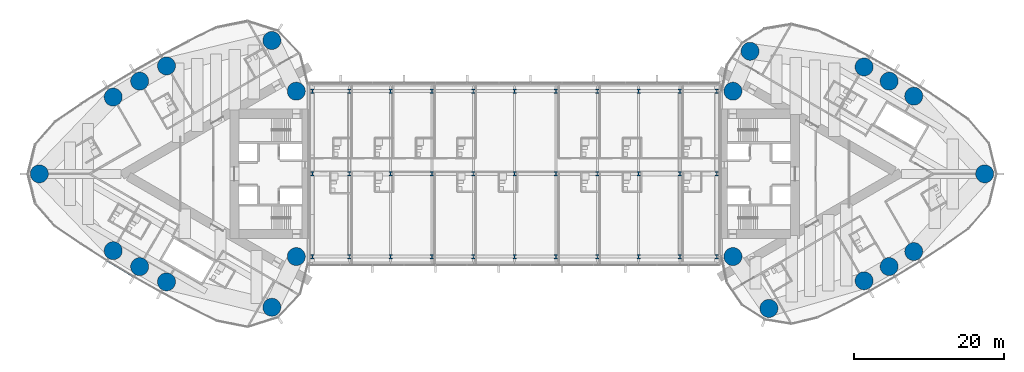
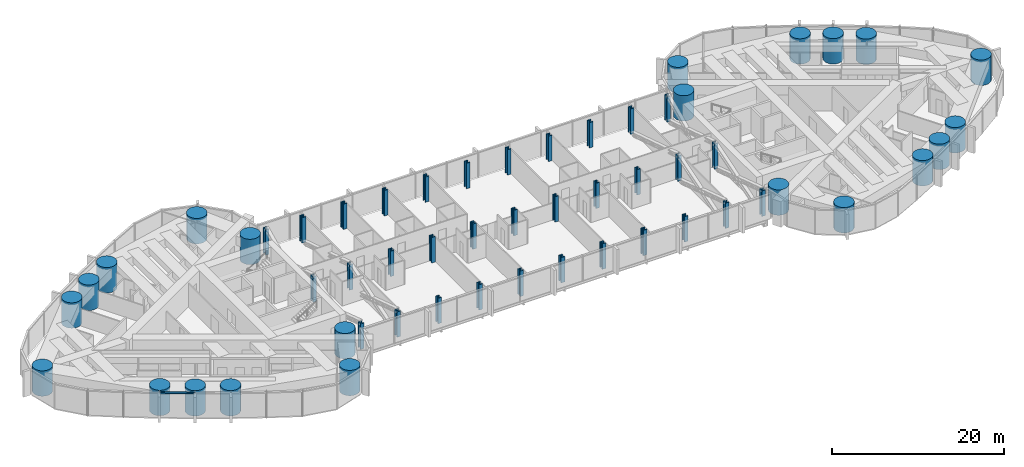
# One storey, part 1 of 22: 55 columns, 1 member, 1 element without a shape of its own.
"""IFC4 building model written with IfcOpenShell, lengths in metres."""

from ifc_helpers import new_model, si_unit, direction, frame, origin, origin_2d, place, context, subcontext, project, spatial, rectangle, circle, i_section, extrude, material, material_profile, profile_set, type_object, element, aggregate, save


model = new_model("IFC4")

# Units and contexts
model_context = context("Model", 3, precision=1e-05, world=origin(), true_north=direction((0.0, 1.0)))
body_context = subcontext(model_context, "Body", "Model", "MODEL_VIEW")
ifc_project = project(units=[si_unit("LENGTHUNIT", "METRE"), si_unit("AREAUNIT", "SQUARE_METRE"), si_unit("VOLUMEUNIT", "CUBIC_METRE"), si_unit("PLANEANGLEUNIT", "RADIAN"), si_unit("MASSUNIT", "GRAM", prefix="KILO")], contexts=[model_context])

# Site, building, storey
site_placement = place(None, origin())
site = spatial("IfcSite", under=ifc_project, at=site_placement, CompositionType="ELEMENT")
building_placement = place(site_placement, origin())
building = spatial("IfcBuilding", under=site, at=building_placement, Name="Lancet Gate Hotel", CompositionType="ELEMENT")
storey_placement = place(building_placement, frame((0.0, 0.0, 233.300048828125)))
storey = spatial("IfcBuildingStorey", under=building, at=storey_placement, Name="L62", CompositionType="ELEMENT", Elevation=233.300048828125)

# Columns
ifc_material_1 = material(Name="Steel S460", Category="steel")
ifc_material_profile_1 = material_profile(ifc_material_1, i_section(OverallWidth=0.47607421875, OverallDepth=0.60009765625, WebThickness=0.10009765625, FlangeThickness=0.139892578125, FilletRadius=0.02001953125, at=origin_2d()), Name="HD 400x1299")
ifc_profile_set_1 = profile_set([ifc_material_profile_1], Name="Steel S460")
column_type_1 = type_object("IfcColumnType", Name="Block column HD 400x1299", PredefinedType="COLUMN", material=ifc_profile_set_1)
for number, where, z_axis, x_axis, name in (
    (1, (-26.89990234375, -11.0, 0.0), (0.0, 0.0, 1.0), (1.0, 0.0, 0.0), "Block column S0 L62"),
    (2, (-22.0, -11.0, 0.0), (0.0, 0.0, 1.0), (1.0, 0.0, 0.0), "Block column S1 L62"),
    (3, (-16.5, -11.0, 0.0), (0.0, 0.0, 1.0), (1.0, 0.0, 0.0), "Block column S2 L62"),
    (4, (-11.0, -11.0, 0.0), (0.0, 0.0, 1.0), (1.0, 0.0, 0.0), "Block column S3 L62"),
    (5, (-5.5, -11.0, 0.0), (0.0, 0.0, 1.0), (1.0, 0.0, 0.0), "Block column S4 L62"),
    (6, (0.0, -11.0, 0.0), (0.0, 0.0, 1.0), (1.0, 0.0, 0.0), "Block column S5 L62"),
    (7, (5.5, -11.0, 0.0), (0.0, 0.0, 1.0), (1.0, 0.0, 0.0), "Block column S6 L62"),
    (8, (11.0, -11.0, 0.0), (0.0, 0.0, 1.0), (1.0, 0.0, 0.0), "Block column S7 L62"),
    (9, (16.5, -11.0, 0.0), (0.0, 0.0, 1.0), (1.0, 0.0, 0.0), "Block column S8 L62"),
    (10, (22.0, -11.0, 0.0), (0.0, 0.0, 1.0), (1.0, 0.0, 0.0), "Block column S9 L62"),
    (11, (26.89990234375, -11.0, 0.0), (0.0, 0.0, 1.0), (1.0, 0.0, 0.0), "Block column S10 L62"),
    (12, (-26.89990234375, 0.0, 0.0), (0.0, 0.0, 1.0), (1.0, 0.0, 0.0), "Block column M0 L62"),
    (13, (-22.0, 0.0, 0.0), (0.0, 0.0, 1.0), (1.0, 0.0, 0.0), "Block column M1 L62"),
    (14, (-16.5, 0.0, 0.0), (0.0, 0.0, 1.0), (1.0, 0.0, 0.0), "Block column M2 L62"),
    (15, (-11.0, 0.0, 0.0), (0.0, 0.0, 1.0), (1.0, 0.0, 0.0), "Block column M3 L62"),
    (16, (-5.5, 0.0, 0.0), (0.0, 0.0, 1.0), (1.0, 0.0, 0.0), "Block column M4 L62"),
    (17, (0.0, 0.0, 0.0), (0.0, 0.0, 1.0), (1.0, 0.0, 0.0), "Block column M5 L62"),
    (18, (5.5, 0.0, 0.0), (0.0, 0.0, 1.0), (1.0, 0.0, 0.0), "Block column M6 L62"),
    (19, (11.0, 0.0, 0.0), (0.0, 0.0, 1.0), (1.0, 0.0, 0.0), "Block column M7 L62"),
    (20, (16.5, 0.0, 0.0), (0.0, 0.0, 1.0), (1.0, 0.0, 0.0), "Block column M8 L62"),
    (21, (22.0, 0.0, 0.0), (0.0, 0.0, 1.0), (1.0, 0.0, 0.0), "Block column M9 L62"),
    (22, (26.89990234375, 0.0, 0.0), (0.0, 0.0, 1.0), (1.0, 0.0, 0.0), "Block column M10 L62"),
    (23, (-26.89990234375, 11.0, 0.0), (0.0, 0.0, 1.0), (1.0, 0.0, 0.0), "Block column N0 L62"),
    (24, (-22.0, 11.0, 0.0), (0.0, 0.0, 1.0), (1.0, 0.0, 0.0), "Block column N1 L62"),
    (25, (-16.5, 11.0, 0.0), (0.0, 0.0, 1.0), (1.0, 0.0, 0.0), "Block column N2 L62"),
    (26, (-11.0, 11.0, 0.0), (0.0, 0.0, 1.0), (1.0, 0.0, 0.0), "Block column N3 L62"),
    (27, (-5.5, 11.0, 0.0), (0.0, 0.0, 1.0), (1.0, 0.0, 0.0), "Block column N4 L62"),
    (28, (0.0, 11.0, 0.0), (0.0, 0.0, 1.0), (1.0, 0.0, 0.0), "Block column N5 L62"),
    (29, (5.5, 11.0, 0.0), (0.0, 0.0, 1.0), (1.0, 0.0, 0.0), "Block column N6 L62"),
    (30, (11.0, 11.0, 0.0), (0.0, 0.0, 1.0), (1.0, 0.0, 0.0), "Block column N7 L62"),
    (31, (16.5, 11.0, 0.0), (0.0, 0.0, 1.0), (1.0, 0.0, 0.0), "Block column N8 L62"),
    (32, (22.0, 11.0, 0.0), (0.0, 0.0, 1.0), (1.0, 0.0, 0.0), "Block column N9 L62"),
    (33, (26.89990234375, 11.0, 0.0), (0.0, 0.0, 1.0), (1.0, 0.0, 0.0), "Block column N10 L62"),
):
    element("IfcColumn", number, at=place(storey_placement, frame(where, z_axis=z_axis, x_axis=x_axis)), inside=storey, type_object=column_type_1, Name=name, PredefinedType="COLUMN", context=body_context, shape_type="SweptSolid", body=[
        extrude(i_section(OverallWidth=0.47607421875, OverallDepth=0.60009765625, WebThickness=0.10009765625, FlangeThickness=0.139892578125, FilletRadius=0.02001953125, at=origin_2d()), origin(), (0.0, 0.0, 1.0), 3.599853515625),
    ])
ifc_material_2 = material(Name="Concrete C50/60", Category="concrete")
ifc_material_profile_2 = material_profile(ifc_material_2, circle(Radius=1.199951171875, at=origin_2d()), Name="RC D2400")
ifc_profile_set_2 = profile_set([ifc_material_profile_2], Name="Concrete C50/60")
column_type_2 = type_object("IfcColumnType", Name="Perimeter column RC D2400", PredefinedType="COLUMN", material=ifc_profile_set_2)
for number, where, z_axis, x_axis, name in (
    (34, (-63.234375, 0.0, 0.0), (0.0, 0.0, 1.0), (1.0, 0.0, 0.0), "T1 column CA L62"),
    (35, (-32.301025390625, -17.745361328125, 0.0), (0.0, 0.0, 1.0), (1.0, 0.0, 0.0), "T1 column CN L62"),
    (36, (-32.301025390625, 17.745361328125, 0.0), (0.0, 0.0, 1.0), (1.0, 0.0, 0.0), "T1 column CS L62"),
    (37, (-29.050048828125, -11.0, 0.0), (0.0, 0.0, 1.0), (1.0, 0.0, 0.0), "T1 column IN L62"),
    (38, (-29.050048828125, 11.0, 0.0), (0.0, 0.0, 1.0), (1.0, 0.0, 0.0), "T1 column IS L62"),
    (39, (-53.40771484375, -10.218994140625, 0.0), (0.0, 0.0, 1.0), (1.0, 0.0, 0.0), "T1 column ON1 L62"),
    (40, (-49.89013671875, -12.340087890625, 0.0), (0.0, 0.0, 1.0), (1.0, 0.0, 0.0), "T1 column ON2 L62"),
    (41, (-46.316650390625, -14.365478515625, 0.0), (0.0, 0.0, 1.0), (1.0, 0.0, 0.0), "T1 column ON3 L62"),
    (42, (-46.316650390625, 14.365478515625, 0.0), (0.0, 0.0, 1.0), (1.0, 0.0, 0.0), "T1 column OS1 L62"),
    (43, (-49.89013671875, 12.340087890625, 0.0), (0.0, 0.0, 1.0), (1.0, 0.0, 0.0), "T1 column OS2 L62"),
    (44, (-53.40771484375, 10.218994140625, 0.0), (0.0, 0.0, 1.0), (1.0, 0.0, 0.0), "T1 column OS3 L62"),
    (45, (62.54150390625, 0.0, 0.0), (0.0, 0.0, 1.0), (1.0, 0.0, 0.0), "T2 column CA L62"),
    (46, (31.328369140625, 16.310791015625, 0.0), (0.0, 0.0, 1.0), (1.0, 0.0, 0.0), "T2 column CN L62"),
    (47, (33.837158203125, -17.906005859375, 0.0), (0.0, 0.0, 1.0), (1.0, 0.0, 0.0), "T2 column CS L62"),
    (48, (29.050048828125, 11.0, 0.0), (0.0, 0.0, 1.0), (1.0, 0.0, 0.0), "T2 column IN L62"),
    (49, (29.050048828125, -11.0, 0.0), (0.0, 0.0, 1.0), (1.0, 0.0, 0.0), "T2 column IS L62"),
    (50, (53.107666015625, 10.333984375, 0.0), (0.0, 0.0, 1.0), (1.0, 0.0, 0.0), "T2 column ON1 L62"),
    (51, (49.833984375, 12.331787109375, 0.0), (0.0, 0.0, 1.0), (1.0, 0.0, 0.0), "T2 column ON2 L62"),
    (52, (46.499267578125, 14.2255859375, 0.0), (0.0, 0.0, 1.0), (1.0, 0.0, 0.0), "T2 column ON3 L62"),
    (53, (46.499267578125, -14.2255859375, 0.0), (0.0, 0.0, 1.0), (1.0, 0.0, 0.0), "T2 column OS1 L62"),
    (54, (49.833984375, -12.331787109375, 0.0), (0.0, 0.0, 1.0), (1.0, 0.0, 0.0), "T2 column OS2 L62"),
    (55, (53.107666015625, -10.333984375, 0.0), (0.0, 0.0, 1.0), (1.0, 0.0, 0.0), "T2 column OS3 L62"),
):
    element("IfcColumn", number, at=place(storey_placement, frame(where, z_axis=z_axis, x_axis=x_axis)), inside=storey, type_object=column_type_2, Name=name, PredefinedType="COLUMN", context=body_context, shape_type="SweptSolid", body=[
        extrude(circle(Radius=1.199951171875, at=origin_2d()), origin(), (0.0, 0.0, 1.0), 3.599853515625),
    ])

# Curtain wall, member
ifc_material_3 = material(Name="Aluminium curtain wall", Category="aluminium")
curtain_wall_type = type_object("IfcCurtainWallType", Name="Tower unitised curtain wall", PredefinedType="USERDEFINED", material=ifc_material_3)
curtain_wall_placement = place(storey_placement, origin())
curtain_wall = element("IfcCurtainWall", 56, at=curtain_wall_placement, inside=storey, type_object=curtain_wall_type, Name="T1 L62 curtain wall 1", ObjectType="UNITISED CURTAIN WALL", PredefinedType="USERDEFINED")
ifc_material_4 = material(Name="Aluminium transom", Category="aluminium")
ifc_material_profile_3 = material_profile(ifc_material_4, rectangle(XDim=0.25, YDim=0.14990234375, at=origin_2d()), Name="TRANSOM 250x150")
ifc_profile_set_3 = profile_set([ifc_material_profile_3], Name="Aluminium transom")
member_type = type_object("IfcMemberType", Name="Aluminium transom 250x150", PredefinedType="USERDEFINED", material=ifc_profile_set_3)
member_placement = place(storey_placement, frame((-54.197998046875, -11.55224609375, 3.52490234375), z_axis=(0.856362214892, -0.516375596737, 0.0), x_axis=(0.516375596737, 0.856362214892, 0.0)))
member = element("IfcMember", 57, at=member_placement, type_object=member_type, Name="T1 L62 curtain wall 1 transom 17", ObjectType="TRANSOM", PredefinedType="USERDEFINED", context=body_context, shape_type="SweptSolid", body=[
    extrude(rectangle(XDim=0.25, YDim=0.14990234375, at=origin_2d()), origin(), (0.0, 0.0, 1.0), 4.08447265625),
])
aggregate(curtain_wall, [member])

save(model, "model.ifc")
